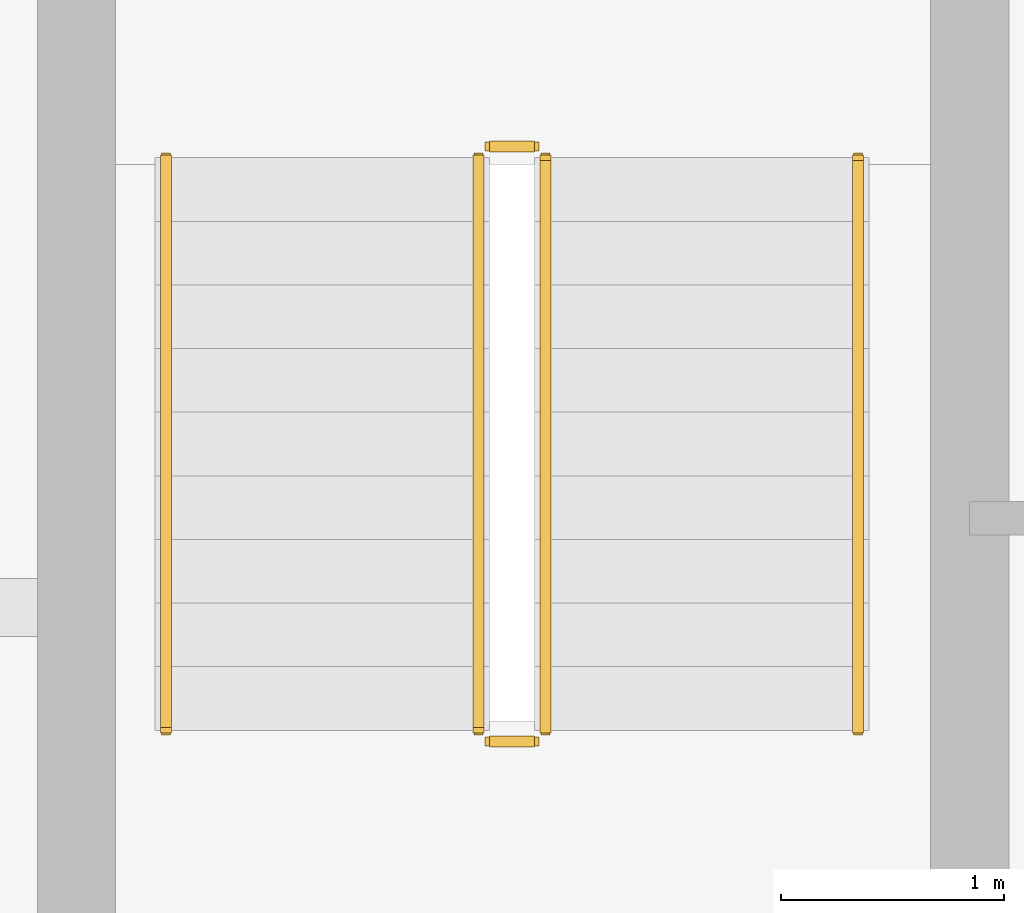
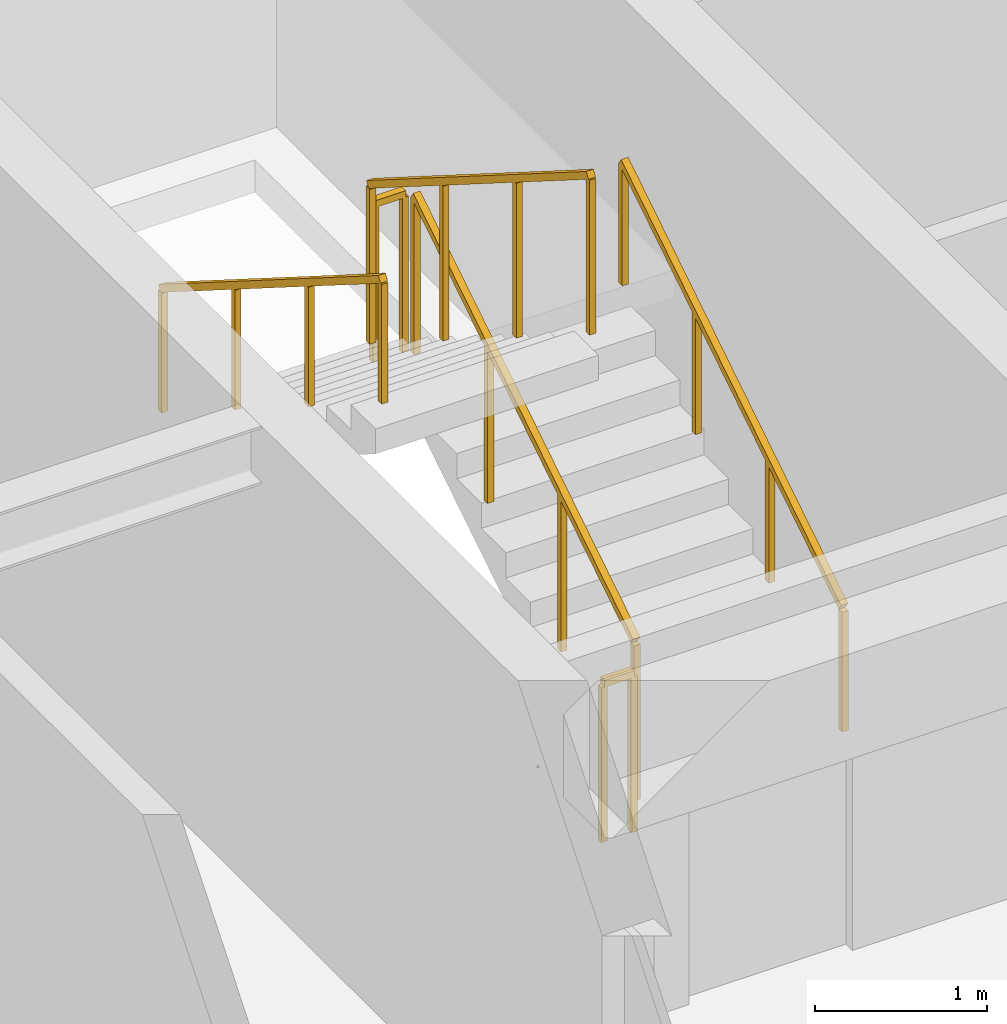
# One storey, part 21 of 23: 6 railings.
"""IFC4 building model written with IfcOpenShell, lengths in metres."""

from ifc_helpers import new_model, si_unit, direction, frame, origin, origin_2d, place, context, subcontext, project, spatial, rectangle, extrude, material, type_object, element, save


model = new_model("IFC4")

# Units and contexts
model_context = context("Model", 3, precision=1e-05, world=origin(), true_north=direction((0.0, 1.0)))
body_context = subcontext(model_context, "Body", "Model", "MODEL_VIEW")
ifc_project = project(units=[si_unit("LENGTHUNIT", "METRE"), si_unit("AREAUNIT", "SQUARE_METRE"), si_unit("VOLUMEUNIT", "CUBIC_METRE"), si_unit("PLANEANGLEUNIT", "RADIAN"), si_unit("MASSUNIT", "GRAM", prefix="KILO")], contexts=[model_context])

# Site, building, storey
site_placement = place(None, origin())
site = spatial("IfcSite", under=ifc_project, at=site_placement, CompositionType="ELEMENT")
building_placement = place(site_placement, origin())
building = spatial("IfcBuilding", under=site, at=building_placement, Name="Sarneth Arch Tower", CompositionType="ELEMENT")
storey_placement = place(building_placement, frame((0.0, 0.0, 265.800048828125)))
storey = spatial("IfcBuildingStorey", under=building, at=storey_placement, Name="L68", CompositionType="ELEMENT", Elevation=265.800048828125)

# Railings
ifc_material_1 = material(Name="Brushed Stainless Steel 304 tubular handrail", Category="steel")
railing_type_1 = type_object("IfcRailingType", Name="RAIL-HANDRAIL-900", PredefinedType="HANDRAIL", material=ifc_material_1)
railing_1_placement = place(storey_placement, frame((40.5, 41.449951171875, 0.179931640625)))
element("IfcRailing", 1, at=railing_1_placement, inside=storey, type_object=railing_type_1, Name="L68 ST-1 stair handrail 1", PredefinedType="HANDRAIL", context=body_context, shape_type="SweptSolid", body=[
    extrude(rectangle(XDim=0.048095703125, YDim=0.048095703125, at=origin_2d()), frame((0.0, 0.0, 0.8759765625), z_axis=(0.0, 0.845465955043, 0.534029323973), x_axis=(-1.0, 0.0, 0.0)), (0.0, 0.0, 1.0), 3.03369140625),
    extrude(rectangle(XDim=0.0419921875, YDim=0.0419921875, at=origin_2d()), origin(), (0.0, 0.0, 1.0), 0.851806640625),
    extrude(rectangle(XDim=0.0419921875, YDim=0.0419921875, at=origin_2d()), frame((0.0, 0.85498046875, 0.5400390625)), (0.0, 0.0, 1.0), 0.851806640625),
    extrude(rectangle(XDim=0.0419921875, YDim=0.0419921875, at=origin_2d()), frame((0.0, 1.7099609375, 1.080078125)), (0.0, 0.0, 1.0), 0.851806640625),
    extrude(rectangle(XDim=0.0419921875, YDim=0.0419921875, at=origin_2d()), frame((0.0, 2.56494140625, 1.6201171875)), (0.0, 0.0, 1.0), 0.851806640625),
])
railing_2_placement = place(storey_placement, frame((37.39990234375, 44.014892578125, 1.97998046875)))
element("IfcRailing", 2, at=railing_2_placement, inside=storey, type_object=railing_type_1, Name="L68 ST-1 stair handrail 2", PredefinedType="HANDRAIL", context=body_context, shape_type="SweptSolid", body=[
    extrude(rectangle(XDim=0.048095703125, YDim=0.048095703125, at=origin_2d()), frame((0.0, 0.0, 0.8759765625), z_axis=(0.0, -0.845502289212, 0.533971796014), x_axis=(1.0, 0.0, 0.0)), (0.0, 0.0, 1.0), 3.03369140625),
    extrude(rectangle(XDim=0.0419921875, YDim=0.0419921875, at=origin_2d()), origin(), (0.0, 0.0, 1.0), 0.851806640625),
    extrude(rectangle(XDim=0.0419921875, YDim=0.0419921875, at=origin_2d()), frame((0.0, -0.85498046875, 0.5400390625)), (0.0, 0.0, 1.0), 0.851806640625),
    extrude(rectangle(XDim=0.0419921875, YDim=0.0419921875, at=origin_2d()), frame((0.0, -1.7099609375, 1.079833984375)), (0.0, 0.0, 1.0), 0.851806640625),
    extrude(rectangle(XDim=0.0419921875, YDim=0.0419921875, at=origin_2d()), frame((0.0, -2.56494140625, 1.619873046875)), (0.0, 0.0, 1.0), 0.851806640625),
])
ifc_material_2 = material(Name="Painted Steel S275 stair well guard", Category="steel")
railing_type_2 = type_object("IfcRailingType", Name="RAIL-STAIR-GUARD", PredefinedType="GUARDRAIL", material=ifc_material_2)
railing_3_placement = place(storey_placement, frame((39.10009765625, 41.449951171875, 0.179931640625)))
element("IfcRailing", 3, at=railing_3_placement, inside=storey, type_object=railing_type_2, Name="L68 ST-1 stair guard 1", PredefinedType="GUARDRAIL", context=body_context, shape_type="SweptSolid", body=[
    extrude(rectangle(XDim=0.048095703125, YDim=0.048095703125, at=origin_2d()), frame((0.0, 0.0, 1.1259765625), z_axis=(0.0, 0.845465955043, 0.534029323973), x_axis=(-1.0, 0.0, 0.0)), (0.0, 0.0, 1.0), 3.03369140625),
    extrude(rectangle(XDim=0.0419921875, YDim=0.0419921875, at=origin_2d()), origin(), (0.0, 0.0, 1.0), 1.101806640625),
    extrude(rectangle(XDim=0.0419921875, YDim=0.0419921875, at=origin_2d()), frame((0.0, 0.85498046875, 0.5400390625)), (0.0, 0.0, 1.0), 1.101806640625),
    extrude(rectangle(XDim=0.0419921875, YDim=0.0419921875, at=origin_2d()), frame((0.0, 1.7099609375, 1.080078125)), (0.0, 0.0, 1.0), 1.101806640625),
    extrude(rectangle(XDim=0.0419921875, YDim=0.0419921875, at=origin_2d()), frame((0.0, 2.56494140625, 1.6201171875)), (0.0, 0.0, 1.0), 1.101806640625),
])
railing_4_placement = place(storey_placement, frame((39.050048828125, 44.06494140625, 1.800048828125)))
element("IfcRailing", 4, at=railing_4_placement, inside=storey, type_object=railing_type_2, Name="L68 ST-1 stair guard 2", PredefinedType="GUARDRAIL", context=body_context, shape_type="SweptSolid", body=[
    extrude(rectangle(XDim=0.048095703125, YDim=0.048095703125, at=origin_2d()), frame((0.0, 0.0, 1.1259765625), z_axis=(-1.0, 0.0, 0.0), x_axis=(0.0, -1.0, 0.0)), (0.0, 0.0, 1.0), 0.199951171875),
    extrude(rectangle(XDim=0.0419921875, YDim=0.0419921875, at=origin_2d()), origin(), (0.0, 0.0, 1.0), 1.101806640625),
    extrude(rectangle(XDim=0.0419921875, YDim=0.0419921875, at=origin_2d()), frame((-0.199951171875, 0.0, 0.0)), (0.0, 0.0, 1.0), 1.101806640625),
])
railing_5_placement = place(storey_placement, frame((38.800048828125, 44.014892578125, 1.97998046875)))
element("IfcRailing", 5, at=railing_5_placement, inside=storey, type_object=railing_type_2, Name="L68 ST-1 stair guard 3", PredefinedType="GUARDRAIL", context=body_context, shape_type="SweptSolid", body=[
    extrude(rectangle(XDim=0.048095703125, YDim=0.048095703125, at=origin_2d()), frame((0.0, 0.0, 1.1259765625), z_axis=(0.0, -0.845502289212, 0.533971796014), x_axis=(1.0, 0.0, 0.0)), (0.0, 0.0, 1.0), 3.03369140625),
    extrude(rectangle(XDim=0.0419921875, YDim=0.0419921875, at=origin_2d()), origin(), (0.0, 0.0, 1.0), 1.101806640625),
    extrude(rectangle(XDim=0.0419921875, YDim=0.0419921875, at=origin_2d()), frame((0.0, -0.85498046875, 0.5400390625)), (0.0, 0.0, 1.0), 1.101806640625),
    extrude(rectangle(XDim=0.0419921875, YDim=0.0419921875, at=origin_2d()), frame((0.0, -1.7099609375, 1.079833984375)), (0.0, 0.0, 1.0), 1.101806640625),
    extrude(rectangle(XDim=0.0419921875, YDim=0.0419921875, at=origin_2d()), frame((0.0, -2.56494140625, 1.619873046875)), (0.0, 0.0, 1.0), 1.101806640625),
])
railing_6_placement = place(storey_placement, frame((39.050048828125, 41.39990234375, 0.0)))
element("IfcRailing", 6, at=railing_6_placement, inside=storey, type_object=railing_type_2, Name="L68 ST-1 stair guard 4", PredefinedType="GUARDRAIL", context=body_context, shape_type="SweptSolid", body=[
    extrude(rectangle(XDim=0.048095703125, YDim=0.048095703125, at=origin_2d()), frame((0.0, 0.0, 1.1259765625), z_axis=(-1.0, 0.0, 0.0), x_axis=(0.0, -1.0, 0.0)), (0.0, 0.0, 1.0), 0.199951171875),
    extrude(rectangle(XDim=0.0419921875, YDim=0.0419921875, at=origin_2d()), origin(), (0.0, 0.0, 1.0), 1.101806640625),
    extrude(rectangle(XDim=0.0419921875, YDim=0.0419921875, at=origin_2d()), frame((-0.199951171875, 0.0, 0.0)), (0.0, 0.0, 1.0), 1.101806640625),
])

save(model, "model.ifc")
